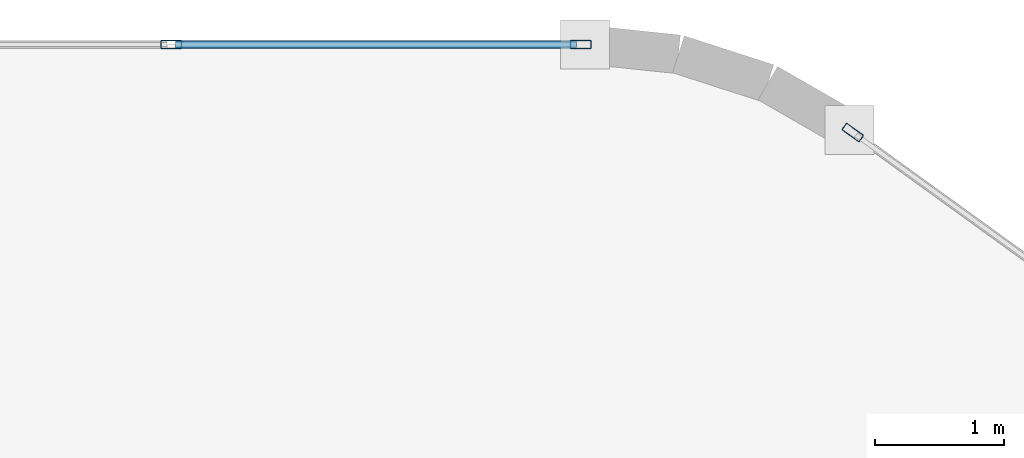
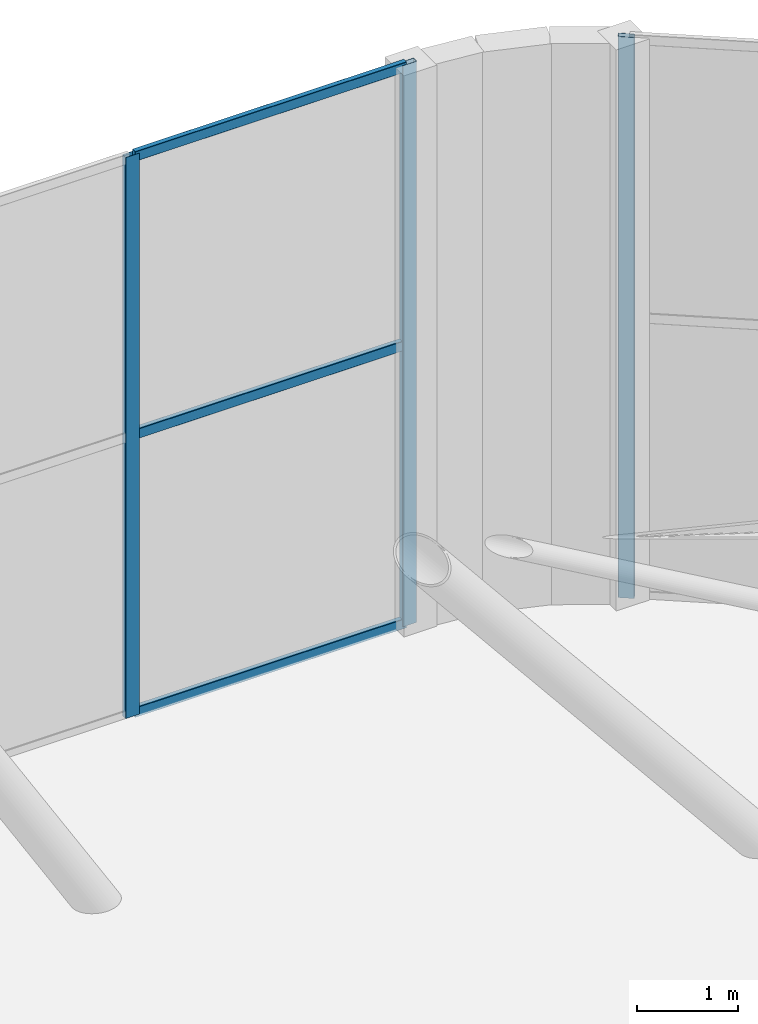
# One storey, part 17 of 23: 6 members, 2 elements without a shape of their own.
"""IFC4 building model written with IfcOpenShell, lengths in metres."""

import ifcopenshell
import ifcopenshell.guid

model = None  # the IFC model being written
_history = None  # IfcOwnerHistory: only IFC2X3 demands one
_inside = {}  # id of a spatial element -> (the spatial element, [elements in it])
_under = {}  # id of a project, library or spatial element -> (it, [spatial elements below it])
_declared = {}  # id of a project -> (the project, [libraries it declares])
_typed = {}  # id of a type object -> (the type object, [elements of that type])
_made_of = {}  # id of a material, layer set ... -> (it, [elements and type objects made of it])


def new_model(schema):
    """Start an empty IFC model of exactly this schema.

    Asked for "IFC4X3", IfcOpenShell would pick the latest addendum, in which some entities
    have other attributes; the version numbers below select the first issue.
    IFC2X3 requires an IfcOwnerHistory on every rooted entity: one is made here for all.
    """
    global model, _history
    if schema == "IFC4X3":
        model = ifcopenshell.file(schema_version=(4, 3, 0, 0))
    else:
        model = ifcopenshell.file(schema=schema)
    _inside.clear()
    _under.clear()
    _declared.clear()
    _typed.clear()
    _made_of.clear()
    _history = None
    if model.schema == "IFC2X3":
        org = make("IfcOrganization", Name="unknown")
        user = make(
            "IfcPersonAndOrganization",
            ThePerson=make("IfcPerson", FamilyName="unknown"),
            TheOrganization=org,
        )
        app = make(
            "IfcApplication",
            ApplicationDeveloper=org,
            Version="unknown",
            ApplicationFullName="unknown",
            ApplicationIdentifier="unknown",
        )
        _history = make(
            "IfcOwnerHistory",
            OwningUser=user,
            OwningApplication=app,
            ChangeAction="ADDED",
            CreationDate=0,
        )
    return model


def make(cls, **values):
    """One entity of the class cls with the attributes given. An attribute that is None is left unset."""
    return model.create_entity(
        cls, **{name: value for name, value in values.items() if value is not None}
    )


def rooted(cls, **values):
    """An entity with a GlobalId (a new one), such as an element, a storey or a relation."""
    return make(cls, GlobalId=ifcopenshell.guid.new(), OwnerHistory=_history, **values)


def si_unit(unit_type, name, prefix=None):
    """IfcSIUnit, for example si_unit("LENGTHUNIT", "METRE", prefix="MILLI")."""
    return make("IfcSIUnit", UnitType=unit_type, Prefix=prefix, Name=name)


def assignment(units):
    """IfcUnitAssignment: the units of a project."""
    return None if units is None else make("IfcUnitAssignment", Units=units)


def point(xyz):
    """IfcCartesianPoint."""
    return None if xyz is None else make("IfcCartesianPoint", Coordinates=xyz)


def direction(xyz):
    """IfcDirection."""
    return None if xyz is None else make("IfcDirection", DirectionRatios=xyz)


def frame(location, z_axis=None, x_axis=None):
    """IfcAxis2Placement3D, a coordinate frame: its origin and axes. An axis left out is left unset."""
    return make(
        "IfcAxis2Placement3D",
        Location=point(location),
        Axis=direction(z_axis),
        RefDirection=direction(x_axis),
    )


def frame_2d(location, x_axis=None):
    """IfcAxis2Placement2D, a coordinate frame in the plane: its origin and x axis."""
    return make(
        "IfcAxis2Placement2D", Location=point(location), RefDirection=direction(x_axis)
    )


def origin():
    """The frame at (0, 0, 0) with its axes left unset."""
    return frame((0.0, 0.0, 0.0))


def origin_2d():
    """The frame at (0, 0) in the plane with its x axis left unset."""
    return frame_2d((0.0, 0.0))


def place(relative_to, where):
    """IfcLocalPlacement: puts the frame where relative to a parent placement (None: the world)."""
    return make(
        "IfcLocalPlacement", PlacementRelTo=relative_to, RelativePlacement=where
    )


def context(
    kind, dimensions, precision=None, world=None, true_north=None, identifier=None
):
    """IfcGeometricRepresentationContext, for example the 3D "Model" context."""
    return make(
        "IfcGeometricRepresentationContext",
        ContextIdentifier=identifier,
        ContextType=kind,
        CoordinateSpaceDimension=dimensions,
        Precision=precision,
        WorldCoordinateSystem=world,
        TrueNorth=true_north,
    )


def subcontext(parent, identifier, kind, view, scale=None):
    """IfcGeometricRepresentationSubContext, for example "Body" below "Model"."""
    return make(
        "IfcGeometricRepresentationSubContext",
        ContextIdentifier=identifier,
        ContextType=kind,
        ParentContext=parent,
        TargetScale=scale,
        TargetView=view,
    )


def project(units=None, contexts=None):
    """IfcProject with its units and contexts."""
    return rooted(
        "IfcProject",
        Name="project",
        RepresentationContexts=contexts,
        UnitsInContext=assignment(units),
    )


def spatial(cls, under=None, at=None, **own):
    """A site, building, storey or space (cls), placed at a placement, below another one or the project."""
    s = rooted(cls, ObjectPlacement=at, **own)
    if under is not None:
        _under.setdefault(under.id(), (under, []))[1].append(s)
    return s


def profile(cls, at=None, kind="AREA", **sizes):
    """A parametric profile (cls). Its sizes go by their IFC names, for example OverallWidth=200.0."""
    return make(cls, ProfileType=kind, Position=at, **sizes)


def hollow_rectangle(**sizes):
    """IfcRectangleHollowProfileDef."""
    return profile("IfcRectangleHollowProfileDef", **sizes)


def extrude(swept, where, along, depth):
    """IfcExtrudedAreaSolid: the profile swept, set in the frame where, extruded along a direction by depth."""
    return make(
        "IfcExtrudedAreaSolid",
        SweptArea=swept,
        Position=where,
        ExtrudedDirection=direction(along),
        Depth=depth,
    )


def shape(context_of_items, identifier, shape_type, items):
    """IfcShapeRepresentation: the items that make up one representation, for example the "Body"."""
    return make(
        "IfcShapeRepresentation",
        ContextOfItems=context_of_items,
        RepresentationIdentifier=identifier,
        RepresentationType=shape_type,
        Items=items,
    )


def material(Name=None, Category=None):
    """IfcMaterial."""
    return make("IfcMaterial", Name=Name, Category=Category)


def layer(
    of_material, thickness, ventilated=None, Name=None, Category=None, Priority=None
):
    """IfcMaterialLayer: one layer of a wall or slab, of a material (None: an air gap)."""
    return make(
        "IfcMaterialLayer",
        Material=of_material,
        LayerThickness=thickness,
        IsVentilated=ventilated,
        Name=Name,
        Category=Category,
        Priority=Priority,
    )


def layer_set(layers, Name=None):
    """IfcMaterialLayerSet."""
    return make("IfcMaterialLayerSet", MaterialLayers=layers, LayerSetName=Name)


def material_profile(
    of_material, cross_section, Name=None, Category=None, Priority=None
):
    """IfcMaterialProfile: a cross section and its material."""
    return make(
        "IfcMaterialProfile",
        Name=Name,
        Material=of_material,
        Profile=cross_section,
        Priority=Priority,
        Category=Category,
    )


def profile_set(profiles, Name=None, composite=None):
    """IfcMaterialProfileSet."""
    return make(
        "IfcMaterialProfileSet",
        Name=Name,
        MaterialProfiles=profiles,
        CompositeProfile=composite,
    )


def made_of(thing, what):
    """Note that an element or type object is made of a material, layer set ...; save() writes the relation."""
    if what is not None:
        _made_of.setdefault(what.id(), (what, []))[1].append(thing)
    return thing


def type_object(cls, material=None, **own):
    """A type object (cls), such as IfcWallType, which elements share."""
    return made_of(rooted(cls, **own), material)


def element(
    cls,
    number,
    at=None,
    inside=None,
    cuts=None,
    type_object=None,
    material=None,
    context=None,
    identifier="Body",
    shape_type=None,
    held_by="IfcProductDefinitionShape",
    body=None,
    shapes=None,
    **own,
):
    """One element of the class cls, such as IfcWall. Its Tag is "e" and its number.

    at: its placement. inside: the storey or other place that contains it. cuts: it is an
    opening in that element (IfcRelVoidsElement). A single representation is given by context,
    identifier, shape_type and body (its items); several are given by shapes. held_by: the class
    of the entity that holds the representations. save() writes the other relations.
    """
    e = rooted(cls, Tag="e%d" % number, ObjectPlacement=at, **own)
    if body is not None:
        shapes = [shape(context, identifier, shape_type, body)]
    if shapes is not None:
        e.Representation = make(held_by, Representations=shapes)
    if inside is not None:
        _inside.setdefault(inside.id(), (inside, []))[1].append(e)
    if cuts is not None:
        rooted(
            "IfcRelVoidsElement", RelatingBuildingElement=cuts, RelatedOpeningElement=e
        )
    if type_object is not None:
        _typed.setdefault(type_object.id(), (type_object, []))[1].append(e)
    return made_of(e, material)


def aggregate(whole, parts):
    """IfcRelAggregates: a whole, such as a stair, and the parts it consists of."""
    return rooted("IfcRelAggregates", RelatingObject=whole, RelatedObjects=parts)


def save(model, path):
    """Write the relations noted so far, then the file.

    IfcRelAggregates (storeys below a building ...), IfcRelContainedInSpatialStructure (elements
    in a storey), IfcRelDefinesByType, IfcRelAssociatesMaterial and IfcRelDeclares: one each for
    every whole, place, type object, material and project.
    """
    for whole, parts in _under.values():
        aggregate(whole, parts)
    for where, things in _inside.values():
        rooted(
            "IfcRelContainedInSpatialStructure",
            RelatedElements=things,
            RelatingStructure=where,
        )
    for kind, things in _typed.values():
        rooted("IfcRelDefinesByType", RelatedObjects=things, RelatingType=kind)
    for what, things in _made_of.values():
        rooted("IfcRelAssociatesMaterial", RelatedObjects=things, RelatingMaterial=what)
    for by, libraries in _declared.values():
        rooted("IfcRelDeclares", RelatingContext=by, RelatedDefinitions=libraries)
    model.write(path)


model = new_model("IFC4")

# Units and contexts
model_context = context("Model", 3, precision=1e-05, world=origin(), true_north=direction((0.0, 1.0)))
body_context = subcontext(model_context, "Body", "Model", "MODEL_VIEW")
ifc_project = project(units=[si_unit("LENGTHUNIT", "METRE"), si_unit("AREAUNIT", "SQUARE_METRE"), si_unit("VOLUMEUNIT", "CUBIC_METRE"), si_unit("PLANEANGLEUNIT", "RADIAN"), si_unit("MASSUNIT", "GRAM", prefix="KILO")], contexts=[model_context])

# Site, building, storey
site_placement = place(None, origin())
site = spatial("IfcSite", under=ifc_project, at=site_placement, CompositionType="ELEMENT")
building_placement = place(site_placement, origin())
building = spatial("IfcBuilding", under=site, at=building_placement, Name="An Khanh Terracotta Commons", CompositionType="ELEMENT")
storey_placement = place(building_placement, frame((0.0, 0.0, 322.0)))
storey = spatial("IfcBuildingStorey", under=building, at=storey_placement, Name="L81 Crown Heat-Recovery Plant", CompositionType="ELEMENT", Elevation=322.0)

# Curtain wall, member
ifc_material = material(Name="Anodised Aluminium 6063-T6", Category="aluminium")
ifc_layer = layer(ifc_material, 0.18994140625, Name="Anodised Aluminium 6063-T6")
ifc_layer_set = layer_set([ifc_layer], Name="Anodised Aluminium 6063-T6")
curtain_wall_type = type_object("IfcCurtainWallType", Name="CW-SYS-06", PredefinedType="USERDEFINED", material=ifc_layer_set)
curtain_wall_1_placement = place(storey_placement, origin())
curtain_wall_1 = element("IfcCurtainWall", 1, at=curtain_wall_1_placement, inside=storey, type_object=curtain_wall_type, Name="L81 Crown Heat-Recovery Plant CW-06 Unitised Curtain Wall CW-L81-16", ObjectType="UNITISED CURTAIN WALL", PredefinedType="USERDEFINED")
ifc_material_profile_1 = material_profile(ifc_material, hollow_rectangle(XDim=0.06494140625, YDim=0.1650390625, WallThickness=0.00390625, InnerFilletRadius=0.00390625, OuterFilletRadius=0.008056640625, at=origin_2d()), Name="RHS165x65x4")
ifc_profile_set_1 = profile_set([ifc_material_profile_1], Name="Anodised Aluminium 6063-T6")
member_type_1 = type_object("IfcMemberType", Name="CWM-RHS165x65x4", PredefinedType="MULLION", material=ifc_profile_set_1)
member_1_placement = place(storey_placement, frame((51.4443359375, 34.717041015625, 0.0), z_axis=(0.0, 0.0, 1.0), x_axis=(-0.585829698889, -0.810434182337, 0.0)))
member_1 = element("IfcMember", 2, at=member_1_placement, type_object=member_type_1, Name="CW-06 mullion 3", PredefinedType="MULLION", context=body_context, shape_type="SweptSolid", body=[
    extrude(hollow_rectangle(XDim=0.06494140625, YDim=0.1650390625, WallThickness=0.00390625, InnerFilletRadius=0.00390625, OuterFilletRadius=0.008056640625, at=origin_2d()), origin(), (0.0, 0.0, 1.0), 6.800048828125),
])
aggregate(curtain_wall_1, [member_1])

# Curtain wall, members
curtain_wall_2_placement = place(storey_placement, origin())
curtain_wall_2 = element("IfcCurtainWall", 3, at=curtain_wall_2_placement, inside=storey, type_object=curtain_wall_type, Name="L81 Crown Heat-Recovery Plant CW-06 Unitised Curtain Wall CW-L81-20", ObjectType="UNITISED CURTAIN WALL", PredefinedType="USERDEFINED")
member_2_placement = place(storey_placement, frame((49.33447265625, 35.39990234375, 0.0), z_axis=(0.0, 0.0, 1.0), x_axis=(0.0, -1.0, 0.0)))
member_2 = element("IfcMember", 4, at=member_2_placement, type_object=member_type_1, Name="CW-06 mullion 1", PredefinedType="MULLION", context=body_context, shape_type="SweptSolid", body=[
    extrude(hollow_rectangle(XDim=0.06494140625, YDim=0.1650390625, WallThickness=0.00390625, InnerFilletRadius=0.00390625, OuterFilletRadius=0.008056640625, at=origin_2d()), origin(), (0.0, 0.0, 1.0), 6.800048828125),
])
member_3_placement = place(storey_placement, frame((46.15869140625, 35.39990234375, 0.0), z_axis=(0.0, 0.0, 1.0), x_axis=(0.0, -1.0, 0.0)))
member_3 = element("IfcMember", 5, at=member_3_placement, type_object=member_type_1, Name="CW-06 mullion 2", PredefinedType="MULLION", context=body_context, shape_type="SweptSolid", body=[
    extrude(hollow_rectangle(XDim=0.06494140625, YDim=0.1650390625, WallThickness=0.00390625, InnerFilletRadius=0.00390625, OuterFilletRadius=0.008056640625, at=origin_2d()), origin(), (0.0, 0.0, 1.0), 6.800048828125),
])
ifc_material_profile_2 = material_profile(ifc_material, hollow_rectangle(XDim=0.06005859375, YDim=0.1201171875, WallThickness=0.003662109375, InnerFilletRadius=0.003662109375, OuterFilletRadius=0.007080078125, at=origin_2d()), Name="RHS120x60x3.6")
ifc_profile_set_2 = profile_set([ifc_material_profile_2], Name="Anodised Aluminium 6063-T6")
member_type_2 = type_object("IfcMemberType", Name="CWT-RHS120x60x3.6", PredefinedType="USERDEFINED", material=ifc_profile_set_2)
member_4_placement = place(storey_placement, frame((49.302001953125, 35.39990234375, 0.030029296875), z_axis=(-1.0, 0.0, 0.0), x_axis=(0.0, -1.0, 0.0)))
member_4 = element("IfcMember", 6, at=member_4_placement, type_object=member_type_2, Name="CW-06 transom 1.1", ObjectType="TRANSOM", PredefinedType="USERDEFINED", context=body_context, shape_type="SweptSolid", body=[
    extrude(hollow_rectangle(XDim=0.06005859375, YDim=0.1201171875, WallThickness=0.003662109375, InnerFilletRadius=0.003662109375, OuterFilletRadius=0.007080078125, at=origin_2d()), origin(), (0.0, 0.0, 1.0), 3.11083984375),
])
member_5_placement = place(storey_placement, frame((49.302001953125, 35.39990234375, 3.39990234375), z_axis=(-1.0, 0.0, 0.0), x_axis=(0.0, -1.0, 0.0)))
member_5 = element("IfcMember", 7, at=member_5_placement, type_object=member_type_2, Name="CW-06 transom 1.2", ObjectType="TRANSOM", PredefinedType="USERDEFINED", context=body_context, shape_type="SweptSolid", body=[
    extrude(hollow_rectangle(XDim=0.06005859375, YDim=0.1201171875, WallThickness=0.003662109375, InnerFilletRadius=0.003662109375, OuterFilletRadius=0.007080078125, at=origin_2d()), origin(), (0.0, 0.0, 1.0), 3.11083984375),
])
member_6_placement = place(storey_placement, frame((49.302001953125, 35.39990234375, 6.77001953125), z_axis=(-1.0, 0.0, 0.0), x_axis=(0.0, -1.0, 0.0)))
member_6 = element("IfcMember", 8, at=member_6_placement, type_object=member_type_2, Name="CW-06 transom 1.3", ObjectType="TRANSOM", PredefinedType="USERDEFINED", context=body_context, shape_type="SweptSolid", body=[
    extrude(hollow_rectangle(XDim=0.06005859375, YDim=0.1201171875, WallThickness=0.003662109375, InnerFilletRadius=0.003662109375, OuterFilletRadius=0.007080078125, at=origin_2d()), origin(), (0.0, 0.0, 1.0), 3.11083984375),
])
aggregate(curtain_wall_2, [member_2, member_3, member_4, member_5, member_6])

save(model, "model.ifc")
